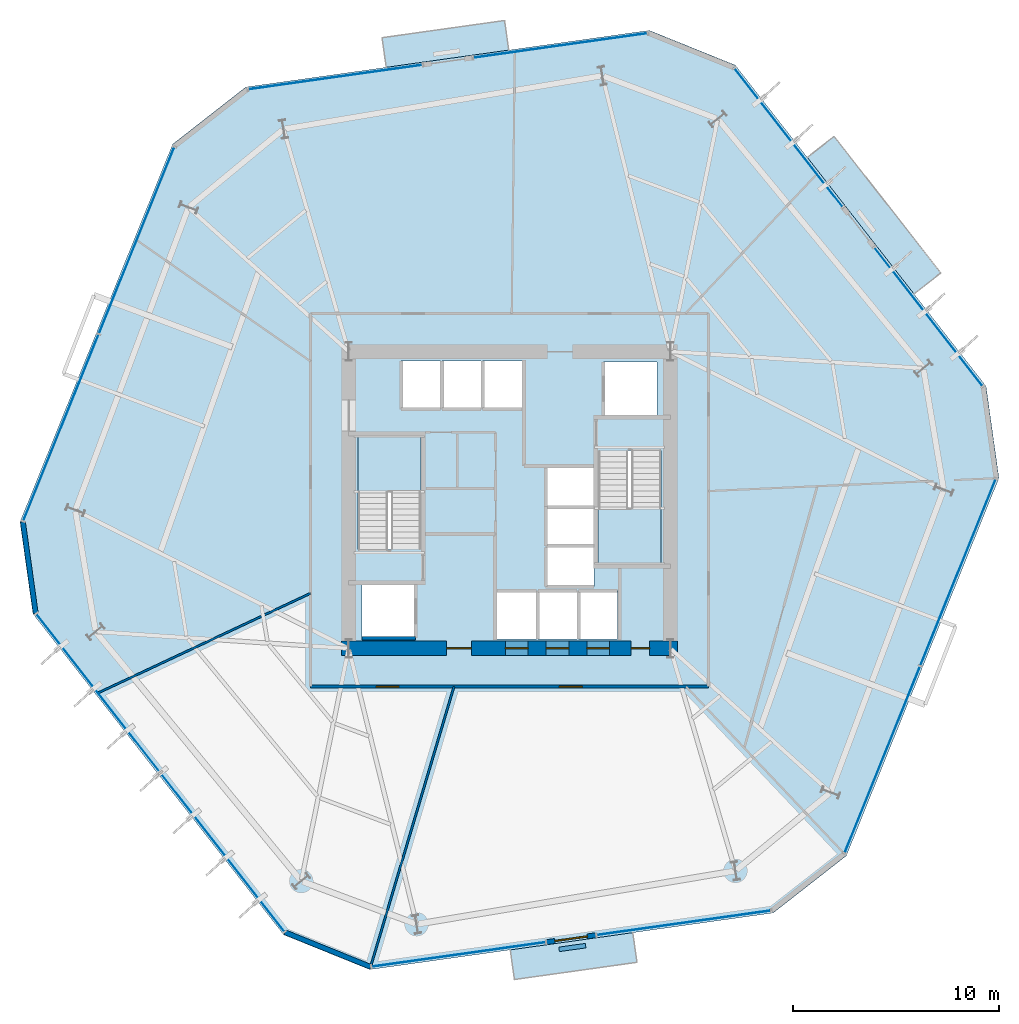
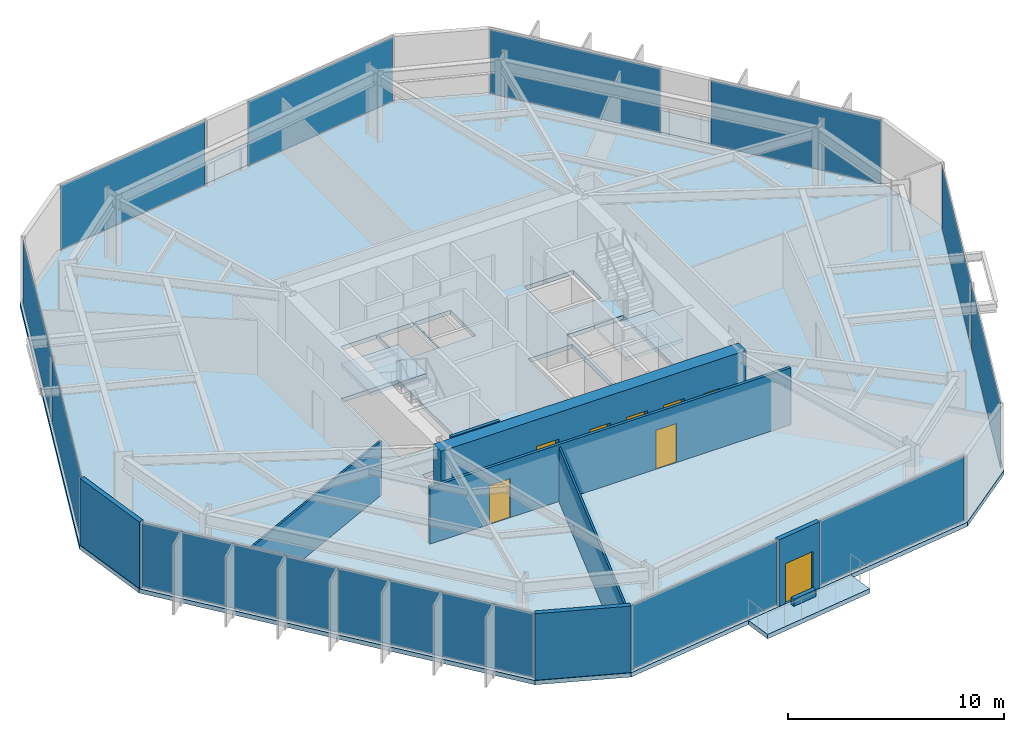
# One storey, part 5 of 10: 12 plates, 9 walls, 8 doors, 6 slabs, 8 openings, 11 elements without a shape of their own.
"""IFC4 building model written with IfcOpenShell, lengths in metres."""

from ifc_helpers import new_model, si_unit, direction, frame, frame_2d, origin, origin_2d, place, context, subcontext, project, spatial, polyline, rectangle, outline, extrude, material, layer, layer_set, type_object, element, fill, aggregate, save


model = new_model("IFC4")

# Units and contexts
model_context = context("Model", 3, precision=1e-05, world=origin(), true_north=direction((0.0, 1.0)))
body_context = subcontext(model_context, "Body", "Model", "MODEL_VIEW")
ifc_project = project(units=[si_unit("LENGTHUNIT", "METRE"), si_unit("AREAUNIT", "SQUARE_METRE"), si_unit("VOLUMEUNIT", "CUBIC_METRE"), si_unit("PLANEANGLEUNIT", "RADIAN"), si_unit("MASSUNIT", "GRAM", prefix="KILO")], contexts=[model_context])

# Site, building, storey
site_placement = place(None, origin())
site = spatial("IfcSite", under=ifc_project, at=site_placement, CompositionType="ELEMENT")
building_placement = place(site_placement, origin())
building = spatial("IfcBuilding", under=site, at=building_placement, Name="Kranzbogen Civic Tower", CompositionType="ELEMENT")
storey_placement = place(building_placement, frame((0.0, 0.0, 52.0)))
storey = spatial("IfcBuildingStorey", under=building, at=storey_placement, Name="L12", CompositionType="ELEMENT", Elevation=52.0)

# Slab
ifc_material_1 = material(Name="Concrete C40/50", Category="concrete")
ifc_layer_1 = layer(ifc_material_1, 0.239990234375, Name="Concrete C40/50")
ifc_layer_set_1 = layer_set([ifc_layer_1], Name="Concrete C40/50")
slab_type_1 = type_object("IfcSlabType", Name="Composite Lower Tower Floor Slab 240 mm", PredefinedType="FLOOR", material=ifc_layer_set_1)
slab_1_placement = place(storey_placement, frame((0.0, 0.0, -0.239990234375)))
element("IfcSlab", 1, at=slab_1_placement, inside=storey, type_object=slab_type_1, Name="L12 tower floor slab", PredefinedType="FLOOR", context=body_context, shape_type="SweptSolid", body=[
    extrude(outline(polyline([(48.114013671875, 30.52099609375), (35.947998046875, 46.091064453125), (31.77587890625, 47.777099609375), (12.2080078125, 45.027099609375), (8.662109375, 42.257080078125), (1.260009765625, 23.93603515625), (1.885986328125, 19.47900390625), (14.052001953125, 3.908935546875), (18.22412109375, 2.222900390625), (37.7919921875, 4.972900390625), (41.337890625, 7.742919921875), (48.739990234375, 26.06396484375), (48.114013671875, 30.52099609375)]), holes=[polyline([(26.300048828125, 20.60009765625), (26.300048828125, 18.25), (24.39990234375, 18.25), (24.39990234375, 20.60009765625), (26.300048828125, 20.60009765625)]), polyline([(28.27490234375, 18.25), (26.375, 18.25), (26.375, 20.60009765625), (28.27490234375, 20.60009765625), (28.27490234375, 18.25)]), polyline([(20.449951171875, 18.300048828125), (17.85009765625, 18.300048828125), (17.85009765625, 20.89990234375), (20.449951171875, 20.89990234375), (20.449951171875, 18.300048828125)]), polyline([(20.699951171875, 22.659912109375), (19.25, 22.659912109375), (19.25, 22.60009765625), (17.64990234375, 22.60009765625), (17.64990234375, 28.10009765625), (20.699951171875, 28.10009765625), (20.699951171875, 22.659912109375)]), polyline([(21.64990234375, 29.39990234375), (19.75, 29.39990234375), (19.75, 31.75), (21.64990234375, 31.75), (21.64990234375, 29.39990234375)]), polyline([(23.625, 29.39990234375), (21.72509765625, 29.39990234375), (21.72509765625, 31.75), (23.625, 31.75), (23.625, 29.39990234375)]), polyline([(25.60009765625, 31.75), (25.60009765625, 29.39990234375), (23.699951171875, 29.39990234375), (23.699951171875, 31.75), (25.60009765625, 31.75)]), polyline([(30.25, 18.25), (28.35009765625, 18.25), (28.35009765625, 20.60009765625), (30.25, 20.60009765625), (30.25, 18.25)]), polyline([(29.10009765625, 20.800048828125), (26.75, 20.800048828125), (26.75, 22.699951171875), (29.10009765625, 22.699951171875), (29.10009765625, 20.800048828125)]), polyline([(26.75, 26.550048828125), (29.10009765625, 26.550048828125), (29.10009765625, 24.675048828125), (29.10009765625, 24.64990234375), (29.10009765625, 22.77490234375), (26.75, 22.77490234375), (26.75, 24.64990234375), (26.75, 24.675048828125), (26.75, 26.550048828125)]), polyline([(30.75, 27.340087890625), (30.75, 27.39990234375), (32.35009765625, 27.39990234375), (32.35009765625, 21.89990234375), (29.300048828125, 21.89990234375), (29.300048828125, 27.340087890625), (30.75, 27.340087890625)]), polyline([(32.14990234375, 29.10009765625), (29.550048828125, 29.10009765625), (29.550048828125, 31.699951171875), (32.14990234375, 31.699951171875), (32.14990234375, 29.10009765625)])]), origin(), (0.0, 0.0, 1.0), 0.239990234375),
])

# Curtain wall, plate
ifc_material_2 = material(Name="Pale Anodised Aluminium", Category="aluminium")
ifc_layer_2 = layer(ifc_material_2, 0.219970703125, Name="Pale Anodised Aluminium")
ifc_layer_set_2 = layer_set([ifc_layer_2], Name="Pale Anodised Aluminium")
curtain_wall_type = type_object("IfcCurtainWallType", Name="Zone 1 Stick Curtain Wall System CW-02", PredefinedType="USERDEFINED", material=ifc_layer_set_2)
curtain_wall_1_placement = place(storey_placement, origin())
curtain_wall_1 = element("IfcCurtainWall", 2, at=curtain_wall_1_placement, inside=storey, type_object=curtain_wall_type, Name="L12 curtain wall CW-L12-F1-S1", ObjectType="STICK CURTAIN WALL", PredefinedType="USERDEFINED")
ifc_material_3 = material(Name="Low-E Triple Glazing Glass", Category="glass")
ifc_layer_3 = layer(ifc_material_3, 0.033935546875, Name="Low-E Triple Glazing Glass")
ifc_layer_set_3 = layer_set([ifc_layer_3], Name="Low-E Triple Glazing Glass")
plate_type = type_object("IfcPlateType", Name="Insulated Low-E Glazing Panel 34 mm", PredefinedType="CURTAIN_PANEL", material=ifc_layer_set_3)
plate_1_placement = place(storey_placement, frame((45.323974609375, 33.885009765625, 0.06005859375), z_axis=(0.0, 0.0, 1.0), x_axis=(-0.615657546706, 0.788013822965, 0.0)))
plate_1 = element("IfcPlate", 3, at=plate_1_placement, type_object=plate_type, Name="CW-02 panel 1.1", PredefinedType="CURTAIN_PANEL", context=body_context, shape_type="SweptSolid", body=[
    extrude(rectangle(XDim=8.501708984375, YDim=0.028076171875, at=origin_2d()), origin(), (0.0, 0.0, 1.0), 3.639892578125),
])
aggregate(curtain_wall_1, [plate_1])

curtain_wall_2_placement = place(storey_placement, origin())
curtain_wall_2 = element("IfcCurtainWall", 4, at=curtain_wall_2_placement, inside=storey, type_object=curtain_wall_type, Name="L12 curtain wall CW-L12-F1-S2", ObjectType="STICK CURTAIN WALL", PredefinedType="USERDEFINED")
plate_2_placement = place(storey_placement, frame((38.5380859375, 42.570068359375, 0.06005859375), z_axis=(0.0, 0.0, 1.0), x_axis=(-0.615657546706, 0.788013822965, 0.0)))
plate_2 = element("IfcPlate", 5, at=plate_2_placement, type_object=plate_type, Name="CW-02 panel 1.1", PredefinedType="CURTAIN_PANEL", context=body_context, shape_type="SweptSolid", body=[
    extrude(rectangle(XDim=8.501708984375, YDim=0.028076171875, at=origin_2d()), origin(), (0.0, 0.0, 1.0), 3.639892578125),
])
aggregate(curtain_wall_2, [plate_2])

curtain_wall_3_placement = place(storey_placement, origin())
curtain_wall_3 = element("IfcCurtainWall", 6, at=curtain_wall_3_placement, inside=storey, type_object=curtain_wall_type, Name="L12 curtain wall CW-L12-F2-S1", ObjectType="STICK CURTAIN WALL", PredefinedType="USERDEFINED")
plate_3_placement = place(storey_placement, frame((27.467041015625, 47.04296875, 0.06005859375), z_axis=(0.0, 0.0, 1.0), x_axis=(-0.990267072018, -0.139180192835, 0.0)))
plate_3 = element("IfcPlate", 7, at=plate_3_placement, type_object=plate_type, Name="CW-02 panel 1.1", PredefinedType="CURTAIN_PANEL", context=body_context, shape_type="SweptSolid", body=[
    extrude(rectangle(XDim=8.501953125, YDim=0.028076171875, at=origin_2d()), origin(), (0.0, 0.0, 1.0), 3.639892578125),
])
aggregate(curtain_wall_3, [plate_3])

curtain_wall_4_placement = place(storey_placement, origin())
curtain_wall_4 = element("IfcCurtainWall", 8, at=curtain_wall_4_placement, inside=storey, type_object=curtain_wall_type, Name="L12 curtain wall CW-L12-F2-S2", ObjectType="STICK CURTAIN WALL", PredefinedType="USERDEFINED")
plate_4_placement = place(storey_placement, frame((16.552490234375, 45.509033203125, 0.06005859375), z_axis=(0.0, 0.0, 1.0), x_axis=(-0.990269318362, -0.139164209161, 0.0)))
plate_4 = element("IfcPlate", 9, at=plate_4_placement, type_object=plate_type, Name="CW-02 panel 1.1", PredefinedType="CURTAIN_PANEL", context=body_context, shape_type="SweptSolid", body=[
    extrude(rectangle(XDim=8.5029296875, YDim=0.028076171875, at=origin_2d()), origin(), (0.0, 0.0, 1.0), 3.639892578125),
])
aggregate(curtain_wall_4, [plate_4])

# Curtain wall, plates
curtain_wall_5_placement = place(storey_placement, origin())
curtain_wall_5 = element("IfcCurtainWall", 10, at=curtain_wall_5_placement, inside=storey, type_object=curtain_wall_type, Name="L12 curtain wall CW-L12-F3", ObjectType="STICK CURTAIN WALL", PredefinedType="USERDEFINED")
plate_5_placement = place(storey_placement, frame((6.912841796875, 37.587890625, 0.06005859375), z_axis=(0.0, 0.0, 1.0), x_axis=(-0.374583413468, -0.927193219537, 0.0)))
plate_5 = element("IfcPlate", 11, at=plate_5_placement, type_object=plate_type, Name="CW-02 panel 1.1", PredefinedType="CURTAIN_PANEL", context=body_context, shape_type="SweptSolid", body=[
    extrude(rectangle(XDim=9.731689453125, YDim=0.028076171875, at=origin_2d()), origin(), (0.0, 0.0, 1.0), 3.639892578125),
])
plate_6_placement = place(storey_placement, frame((3.2451171875, 28.50927734375, 0.06005859375), z_axis=(0.0, 0.0, 1.0), x_axis=(-0.374583413468, -0.927193219537, 0.0)))
plate_6 = element("IfcPlate", 12, at=plate_6_placement, type_object=plate_type, Name="CW-02 panel 2.1", PredefinedType="CURTAIN_PANEL", context=body_context, shape_type="SweptSolid", body=[
    extrude(rectangle(XDim=9.731689453125, YDim=0.028076171875, at=origin_2d()), origin(), (0.0, 0.0, 1.0), 3.639892578125),
])
aggregate(curtain_wall_5, [plate_5, plate_6])

curtain_wall_6_placement = place(storey_placement, origin())
curtain_wall_6 = element("IfcCurtainWall", 13, at=curtain_wall_6_placement, inside=storey, type_object=curtain_wall_type, Name="L12 curtain wall CW-L12-F4", ObjectType="STICK CURTAIN WALL", PredefinedType="USERDEFINED")
plate_7_placement = place(storey_placement, frame((5.0546875, 15.63037109375, 0.06005859375), z_axis=(0.0, 0.0, 1.0), x_axis=(0.61567664207, -0.787998903812, 0.0)))
plate_7 = element("IfcPlate", 14, at=plate_7_placement, type_object=plate_type, Name="CW-02 panel 1.1", PredefinedType="CURTAIN_PANEL", context=body_context, shape_type="SweptSolid", body=[
    extrude(rectangle(XDim=9.731689453125, YDim=0.028076171875, at=origin_2d()), origin(), (0.0, 0.0, 1.0), 3.639892578125),
])
plate_8_placement = place(storey_placement, frame((11.083251953125, 7.91455078125, 0.06005859375), z_axis=(0.0, 0.0, 1.0), x_axis=(0.61567664207, -0.787998903812, 0.0)))
plate_8 = element("IfcPlate", 15, at=plate_8_placement, type_object=plate_type, Name="CW-02 panel 2.1", PredefinedType="CURTAIN_PANEL", context=body_context, shape_type="SweptSolid", body=[
    extrude(rectangle(XDim=9.731689453125, YDim=0.028076171875, at=origin_2d()), origin(), (0.0, 0.0, 1.0), 3.639892578125),
])
aggregate(curtain_wall_6, [plate_7, plate_8])

# Curtain wall, plate
curtain_wall_7_placement = place(storey_placement, origin())
curtain_wall_7 = element("IfcCurtainWall", 16, at=curtain_wall_7_placement, inside=storey, type_object=curtain_wall_type, Name="L12 curtain wall CW-L12-F5-S1", ObjectType="STICK CURTAIN WALL", PredefinedType="USERDEFINED")
plate_9_placement = place(storey_placement, frame((22.532958984375, 2.95703125, 0.06005859375), z_axis=(0.0, 0.0, 1.0), x_axis=(0.990267072018, 0.139180192835, 0.0)))
plate_9 = element("IfcPlate", 17, at=plate_9_placement, type_object=plate_type, Name="CW-02 panel 1.1", PredefinedType="CURTAIN_PANEL", context=body_context, shape_type="SweptSolid", body=[
    extrude(rectangle(XDim=8.501953125, YDim=0.028076171875, at=origin_2d()), origin(), (0.0, 0.0, 1.0), 3.639892578125),
])
aggregate(curtain_wall_7, [plate_9])

curtain_wall_8_placement = place(storey_placement, origin())
curtain_wall_8 = element("IfcCurtainWall", 18, at=curtain_wall_8_placement, inside=storey, type_object=curtain_wall_type, Name="L12 curtain wall CW-L12-F5-S2", ObjectType="STICK CURTAIN WALL", PredefinedType="USERDEFINED")
plate_10_placement = place(storey_placement, frame((33.447998046875, 4.490966796875, 0.06005859375), z_axis=(0.0, 0.0, 1.0), x_axis=(0.990267072018, 0.139180192835, 0.0)))
plate_10 = element("IfcPlate", 19, at=plate_10_placement, type_object=plate_type, Name="CW-02 panel 1.1", PredefinedType="CURTAIN_PANEL", context=body_context, shape_type="SweptSolid", body=[
    extrude(rectangle(XDim=8.501953125, YDim=0.028076171875, at=origin_2d()), origin(), (0.0, 0.0, 1.0), 3.639892578125),
])
aggregate(curtain_wall_8, [plate_10])

# Curtain wall, plates
curtain_wall_9_placement = place(storey_placement, origin())
curtain_wall_9 = element("IfcCurtainWall", 20, at=curtain_wall_9_placement, inside=storey, type_object=curtain_wall_type, Name="L12 curtain wall CW-L12-F6", ObjectType="STICK CURTAIN WALL", PredefinedType="USERDEFINED")
plate_11_placement = place(storey_placement, frame((43.087158203125, 12.412109375, 0.06005859375), z_axis=(0.0, 0.0, 1.0), x_axis=(0.374583413468, 0.927193219537, 0.0)))
plate_11 = element("IfcPlate", 21, at=plate_11_placement, type_object=plate_type, Name="CW-02 panel 1.1", PredefinedType="CURTAIN_PANEL", context=body_context, shape_type="SweptSolid", body=[
    extrude(rectangle(XDim=9.731689453125, YDim=0.028076171875, at=origin_2d()), origin(), (0.0, 0.0, 1.0), 3.639892578125),
])
plate_12_placement = place(storey_placement, frame((46.7548828125, 21.49072265625, 0.06005859375), z_axis=(0.0, 0.0, 1.0), x_axis=(0.374583413468, 0.927193219537, 0.0)))
plate_12 = element("IfcPlate", 22, at=plate_12_placement, type_object=plate_type, Name="CW-02 panel 2.1", PredefinedType="CURTAIN_PANEL", context=body_context, shape_type="SweptSolid", body=[
    extrude(rectangle(XDim=9.731689453125, YDim=0.028076171875, at=origin_2d()), origin(), (0.0, 0.0, 1.0), 3.639892578125),
])
aggregate(curtain_wall_9, [plate_11, plate_12])

# Stair, slab
ifc_material_4 = material(Name="Precast concrete C40/50", Category="concrete")
stair_type_1 = type_object("IfcStairType", Name="Tower Core Pressurized Dogleg Stair 1450", PredefinedType="HALF_TURN_STAIR", material=ifc_material_4)
stair_1_placement = place(storey_placement, origin())
stair_1 = element("IfcStair", 23, at=stair_1_placement, inside=storey, type_object=stair_type_1, Name="L12 Tower Core Pressurized Stair 1", PredefinedType="HALF_TURN_STAIR")
ifc_layer_4 = layer(ifc_material_4, 0.199951171875, Name="Precast concrete C40/50")
ifc_layer_set_4 = layer_set([ifc_layer_4], Name="Precast concrete C40/50")
slab_type_2 = type_object("IfcSlabType", Name="Precast Concrete Stair Landing Slab 200 mm", PredefinedType="LANDING", material=ifc_layer_set_4)
slab_2_placement = place(storey_placement, frame((0.0, 0.0, 1.800048828125)))
slab_2 = element("IfcSlab", 24, at=slab_2_placement, type_object=slab_type_2, Name="ST-T1 landing 1", PredefinedType="LANDING", context=body_context, shape_type="SweptSolid", body=[
    extrude(outline(polyline([(20.699951171875, 25.39990234375), (20.699951171875, 28.10009765625), (17.64990234375, 28.10009765625), (17.64990234375, 25.39990234375), (20.699951171875, 25.39990234375)])), origin(), (0.0, 0.0, 1.0), 0.199951171875),
])
aggregate(stair_1, [slab_2])

stair_type_2 = type_object("IfcStairType", Name="Tower Core Secondary Dogleg Stair 1450", PredefinedType="HALF_TURN_STAIR", material=ifc_material_4)
stair_2_placement = place(storey_placement, origin())
stair_2 = element("IfcStair", 25, at=stair_2_placement, inside=storey, type_object=stair_type_2, Name="L12 Tower Core Pressurized Stair 2", PredefinedType="HALF_TURN_STAIR")
slab_3_placement = place(storey_placement, frame((0.0, 0.0, 1.800048828125)))
slab_3 = element("IfcSlab", 26, at=slab_3_placement, type_object=slab_type_2, Name="ST-T2 landing 1", PredefinedType="LANDING", context=body_context, shape_type="SweptSolid", body=[
    extrude(outline(polyline([(29.300048828125, 24.60009765625), (29.300048828125, 21.89990234375), (32.35009765625, 21.89990234375), (32.35009765625, 24.60009765625), (29.300048828125, 24.60009765625)])), origin(), (0.0, 0.0, 1.0), 0.199951171875),
])
aggregate(stair_2, [slab_3])

# Slabs
ifc_layer_5 = layer(ifc_material_1, 0.280029296875, Name="Concrete C40/50")
ifc_layer_set_5 = layer_set([ifc_layer_5], Name="Concrete C40/50")
slab_type_3 = type_object("IfcSlabType", Name="Spiral Terrace Cantilevered Slab 280 mm", PredefinedType="FLOOR", material=ifc_layer_set_5)
slab_4_placement = place(storey_placement, frame((0.0, 0.0, -0.280029296875)))
element("IfcSlab", 27, at=slab_4_placement, inside=storey, type_object=slab_type_3, Name="L12 cantilevered spiral terrace L12-ST", PredefinedType="FLOOR", context=body_context, shape_type="SweptSolid", body=[
    extrude(outline(polyline([(44.616943359375, 34.99609375), (39.445068359375, 41.615966796875), (40.7451171875, 42.632080078125), (45.9169921875, 36.011962890625), (44.616943359375, 34.99609375)])), origin(), (0.0, 0.0, 1.0), 0.280029296875),
])
ifc_layer_6 = layer(ifc_material_1, 0.25, Name="Concrete C40/50")
ifc_layer_set_6 = layer_set([ifc_layer_6], Name="Concrete C40/50")
slab_type_4 = type_object("IfcSlabType", Name="Tree Balcony Cantilevered Slab 250 mm", PredefinedType="FLOOR", material=ifc_layer_set_6)
slab_5_placement = place(storey_placement, frame((0.0, 0.0, -0.25)))
element("IfcSlab", 28, at=slab_5_placement, inside=storey, type_object=slab_type_4, Name="L12 cantilevered tree balcony L12-TB1", PredefinedType="FLOOR", context=body_context, shape_type="SweptSolid", body=[
    extrude(outline(polyline([(24.962890625, 46.820068359375), (19.02099609375, 45.985107421875), (18.819091796875, 47.4208984375), (24.760986328125, 48.256103515625), (24.962890625, 46.820068359375)])), origin(), (0.0, 0.0, 1.0), 0.25),
])
slab_6_placement = place(storey_placement, frame((0.0, 0.0, -0.25)))
element("IfcSlab", 29, at=slab_6_placement, inside=storey, type_object=slab_type_4, Name="L12 cantilevered tree balcony L12-TB2", PredefinedType="FLOOR", context=body_context, shape_type="SweptSolid", body=[
    extrude(outline(polyline([(25.037109375, 3.179931640625), (30.97900390625, 4.014892578125), (31.180908203125, 2.5791015625), (25.239013671875, 1.743896484375), (25.037109375, 3.179931640625)])), origin(), (0.0, 0.0, 1.0), 0.25),
])

# Wall, openings, doors
ifc_material_5 = material(Name="Double-Stud Acoustic Gypsum Partition")
ifc_layer_7 = layer(ifc_material_5, 0.14990234375, Name="Double-Stud Acoustic Gypsum Partition")
ifc_layer_set_7 = layer_set([ifc_layer_7], Name="Double-Stud Acoustic Gypsum Partition")
wall_type_1 = type_object("IfcWallType", Name="Acoustic Corridor and Clinical Partition 150 mm", PredefinedType="PARTITIONING", material=ifc_layer_set_7)
wall_1_placement = place(storey_placement, frame((34.64990234375, 15.949951171875, 0.0), z_axis=(0.0, 0.0, 1.0), x_axis=(-1.0, 0.0, 0.0)))
wall_1 = element("IfcWall", 30, at=wall_1_placement, inside=storey, type_object=wall_type_1, Name="L12 corridor partition 03", PredefinedType="PARTITIONING", context=body_context, shape_type="SweptSolid", body=[
    extrude(rectangle(XDim=19.2998046875, YDim=0.14990234375, at=frame_2d((9.64990234375, 0.0))), origin(), (0.0, 0.0, 1.0), 3.2099609375),
])
opening_1_placement = place(wall_1_placement, frame((15.010009765625, 0.0, 0.0)))
opening_1 = element("IfcOpeningElement", 31, at=opening_1_placement, cuts=wall_1, Name="Opening D-COR60", PredefinedType="OPENING", context=body_context, shape_type="SweptSolid", body=[
    extrude(rectangle(XDim=1.10009765625, YDim=2.199951171875, at=frame_2d((0.550048828125, 1.10009765625))), frame((0.0, 0.0849609375, 0.0), z_axis=(0.0, -1.0, 0.0), x_axis=(1.0, 0.0, 0.0)), (0.0, 0.0, 1.0), 0.169921875),
])
opening_2_placement = place(wall_1_placement, frame((6.1259765625, 0.0, 0.0)))
opening_2 = element("IfcOpeningElement", 32, at=opening_2_placement, cuts=wall_1, Name="Opening D-COR60", PredefinedType="OPENING", context=body_context, shape_type="SweptSolid", body=[
    extrude(rectangle(XDim=1.10009765625, YDim=2.199951171875, at=frame_2d((0.550048828125, 1.10009765625))), frame((0.0, 0.0849609375, 0.0), z_axis=(0.0, -1.0, 0.0), x_axis=(1.0, 0.0, 0.0)), (0.0, 0.0, 1.0), 0.169921875),
])
ifc_material_6 = material(Name="Oak Timber and Fire Core", Category="wood")
door_type_1 = type_object("IfcDoorType", Name="Corridor Acoustic Fire Door 1100x2200", OperationType="NOTDEFINED", PredefinedType="DOOR", material=ifc_material_6)
door_1_placement = place(opening_1_placement, origin())
door_1 = element("IfcDoor", 33, at=door_1_placement, inside=storey, type_object=door_type_1, Name="L12 Ministerial Policy Office door", OperationType="SINGLE_SWING_RIGHT", OverallHeight=2.199951171875, OverallWidth=1.10009765625, PredefinedType="DOOR", context=body_context, shape_type="SweptSolid", body=[
    extrude(rectangle(XDim=1.10009765625, YDim=2.199951171875, at=frame_2d((0.550048828125, 1.10009765625))), frame((0.0, 0.02490234375, 0.0), z_axis=(0.0, -1.0, 0.0), x_axis=(1.0, 0.0, 0.0)), (0.0, 0.0, 1.0), 0.050048828125),
])
fill(opening_1, door_1)
door_2_placement = place(opening_2_placement, origin())
door_2 = element("IfcDoor", 34, at=door_2_placement, inside=storey, type_object=door_type_1, Name="L12 Directorate Admin Workspace door", OperationType="SINGLE_SWING_LEFT", OverallHeight=2.199951171875, OverallWidth=1.10009765625, PredefinedType="DOOR", context=body_context, shape_type="SweptSolid", body=[
    extrude(rectangle(XDim=1.10009765625, YDim=2.199951171875, at=frame_2d((0.550048828125, 1.10009765625))), frame((0.0, 0.02490234375, 0.0), z_axis=(0.0, -1.0, 0.0), x_axis=(1.0, 0.0, 0.0)), (0.0, 0.0, 1.0), 0.050048828125),
])
fill(opening_2, door_2)

# Wall
ifc_material_7 = material(Name="Architectural Precast Terracotta Concrete C40/50", Category="masonry")
ifc_layer_8 = layer(ifc_material_7, 0.219970703125, Name="Architectural Precast Terracotta Concrete C40/50")
ifc_layer_set_8 = layer_set([ifc_layer_8], Name="Architectural Precast Terracotta Concrete C40/50")
wall_type_2 = type_object("IfcWallType", Name="Architectural Tree Planter Kerb Wall 220 mm", PredefinedType="USERDEFINED", material=ifc_layer_set_8)
wall_2_placement = place(storey_placement, frame((27.406005859375, 3.2060546875, 0.0), z_axis=(0.0, 0.0, 1.0), x_axis=(0.990383971487, 0.138345903523, 0.0)))
element("IfcWall", 35, at=wall_2_placement, inside=storey, type_object=wall_type_2, Name="L12 landscaped tree balcony planter L12-TB2", ObjectType="PLANTER_WALL", PredefinedType="USERDEFINED", context=body_context, shape_type="SweptSolid", body=[
    extrude(rectangle(XDim=1.300537109375, YDim=0.219970703125, at=frame_2d((0.650390625, 0.0))), origin(), (0.0, 0.0, 1.0), 0.39990234375),
])

# Wall, openings, doors
ifc_material_8 = material(Name="Concrete C55/67", Category="concrete")
ifc_layer_9 = layer(ifc_material_8, 0.699951171875, Name="Concrete C55/67")
ifc_layer_set_9 = layer_set([ifc_layer_9], Name="Concrete C55/67")
wall_type_3 = type_object("IfcWallType", Name="Central Core Shear Wall 700 mm", PredefinedType="SHEAR", material=ifc_layer_set_9)
wall_3_placement = place(storey_placement, frame((16.85009765625, 17.800048828125, 0.0), z_axis=(0.0, 0.0, 1.0), x_axis=(1.0, 0.0, 0.0)))
wall_3 = element("IfcWall", 36, at=wall_3_placement, inside=storey, type_object=wall_type_3, Name="L12 central core South shear wall", PredefinedType="SHEAR", context=body_context, shape_type="SweptSolid", body=[
    extrude(rectangle(XDim=16.2998046875, YDim=0.699951171875, at=frame_2d((8.14990234375, 0.0))), origin(), (0.0, 0.0, 1.0), 3.760009765625),
])
opening_3_placement = place(wall_3_placement, frame((5.10009765625, 0.0, 0.0)))
opening_3 = element("IfcOpeningElement", 37, at=opening_3_placement, cuts=wall_3, Name="Opening D-EX120", PredefinedType="OPENING", context=body_context, shape_type="SweptSolid", body=[
    extrude(rectangle(XDim=1.199951171875, YDim=2.25, at=frame_2d((0.60009765625, 1.125))), frame((0.0, 0.35986328125, 0.0), z_axis=(0.0, -1.0, 0.0), x_axis=(1.0, 0.0, 0.0)), (0.0, 0.0, 1.0), 0.719970703125),
])
opening_4_placement = place(wall_3_placement, frame((14.050048828125, 0.0, 0.0)))
opening_4 = element("IfcOpeningElement", 38, at=opening_4_placement, cuts=wall_3, Name="Opening D-WC90", PredefinedType="OPENING", context=body_context, shape_type="SweptSolid", body=[
    extrude(rectangle(XDim=0.89990234375, YDim=2.10009765625, at=frame_2d((0.449951171875, 1.050048828125))), frame((0.0, 0.35986328125, 0.0), z_axis=(0.0, -1.0, 0.0), x_axis=(1.0, 0.0, 0.0)), (0.0, 0.0, 1.0), 0.719970703125),
])
opening_5_placement = place(wall_3_placement, frame((7.949951171875, 0.0, 0.0)))
opening_5 = element("IfcOpeningElement", 39, at=opening_5_placement, cuts=wall_3, Name="Opening LD-LP-01", PredefinedType="OPENING", context=body_context, shape_type="SweptSolid", body=[
    extrude(rectangle(XDim=1.10009765625, YDim=2.199951171875, at=frame_2d((0.550048828125, 1.10009765625))), frame((0.0, 0.35986328125, 0.0), z_axis=(0.0, -1.0, 0.0), x_axis=(1.0, 0.0, 0.0)), (0.0, 0.0, 1.0), 0.719970703125),
])
opening_6_placement = place(wall_3_placement, frame((9.925048828125, 0.0, 0.0)))
opening_6 = element("IfcOpeningElement", 40, at=opening_6_placement, cuts=wall_3, Name="Opening LD-LP-02", PredefinedType="OPENING", context=body_context, shape_type="SweptSolid", body=[
    extrude(rectangle(XDim=1.10009765625, YDim=2.199951171875, at=frame_2d((0.550048828125, 1.10009765625))), frame((0.0, 0.35986328125, 0.0), z_axis=(0.0, -1.0, 0.0), x_axis=(1.0, 0.0, 0.0)), (0.0, 0.0, 1.0), 0.719970703125),
])
opening_7_placement = place(wall_3_placement, frame((11.89990234375, 0.0, 0.0)))
opening_7 = element("IfcOpeningElement", 41, at=opening_7_placement, cuts=wall_3, Name="Opening LD-LP-03", PredefinedType="OPENING", context=body_context, shape_type="SweptSolid", body=[
    extrude(rectangle(XDim=1.10009765625, YDim=2.199951171875, at=frame_2d((0.550048828125, 1.10009765625))), frame((0.0, 0.35986328125, 0.0), z_axis=(0.0, -1.0, 0.0), x_axis=(1.0, 0.0, 0.0)), (0.0, 0.0, 1.0), 0.719970703125),
])
ifc_material_9 = material(Name="Steel S355", Category="steel")
door_type_2 = type_object("IfcDoorType", Name="Exit Passageway Fire Door 1200x2250", OperationType="NOTDEFINED", PredefinedType="DOOR", material=ifc_material_9)
door_3_placement = place(opening_3_placement, origin())
door_3 = element("IfcDoor", 42, at=door_3_placement, inside=storey, type_object=door_type_2, Name="L12 West firefighting lobby corridor door", OperationType="SINGLE_SWING_RIGHT", OverallHeight=2.25, OverallWidth=1.199951171875, PredefinedType="DOOR", context=body_context, shape_type="SweptSolid", body=[
    extrude(rectangle(XDim=1.199951171875, YDim=2.25, at=frame_2d((0.60009765625, 1.125))), frame((0.0, 0.02490234375, 0.0), z_axis=(0.0, -1.0, 0.0), x_axis=(1.0, 0.0, 0.0)), (0.0, 0.0, 1.0), 0.050048828125),
])
fill(opening_3, door_3)
door_type_3 = type_object("IfcDoorType", Name="Passenger Lift Sliding Landing Door 1100x2200", OperationType="DOUBLE_DOOR_SLIDING", PredefinedType="DOOR", material=ifc_material_2)
door_4_placement = place(opening_5_placement, origin())
door_4 = element("IfcDoor", 43, at=door_4_placement, inside=storey, type_object=door_type_3, Name="L12 lift LP-01 sliding landing door", OperationType="DOUBLE_DOOR_SLIDING", OverallHeight=2.199951171875, OverallWidth=1.10009765625, PredefinedType="DOOR", context=body_context, shape_type="SweptSolid", body=[
    extrude(rectangle(XDim=1.10009765625, YDim=2.199951171875, at=frame_2d((0.550048828125, 1.10009765625))), frame((0.0, 0.02490234375, 0.0), z_axis=(0.0, -1.0, 0.0), x_axis=(1.0, 0.0, 0.0)), (0.0, 0.0, 1.0), 0.050048828125),
])
fill(opening_5, door_4)
door_5_placement = place(opening_6_placement, origin())
door_5 = element("IfcDoor", 44, at=door_5_placement, inside=storey, type_object=door_type_3, Name="L12 lift LP-02 sliding landing door", OperationType="DOUBLE_DOOR_SLIDING", OverallHeight=2.199951171875, OverallWidth=1.10009765625, PredefinedType="DOOR", context=body_context, shape_type="SweptSolid", body=[
    extrude(rectangle(XDim=1.10009765625, YDim=2.199951171875, at=frame_2d((0.550048828125, 1.10009765625))), frame((0.0, 0.02490234375, 0.0), z_axis=(0.0, -1.0, 0.0), x_axis=(1.0, 0.0, 0.0)), (0.0, 0.0, 1.0), 0.050048828125),
])
fill(opening_6, door_5)
door_6_placement = place(opening_7_placement, origin())
door_6 = element("IfcDoor", 45, at=door_6_placement, inside=storey, type_object=door_type_3, Name="L12 lift LP-03 sliding landing door", OperationType="DOUBLE_DOOR_SLIDING", OverallHeight=2.199951171875, OverallWidth=1.10009765625, PredefinedType="DOOR", context=body_context, shape_type="SweptSolid", body=[
    extrude(rectangle(XDim=1.10009765625, YDim=2.199951171875, at=frame_2d((0.550048828125, 1.10009765625))), frame((0.0, 0.02490234375, 0.0), z_axis=(0.0, -1.0, 0.0), x_axis=(1.0, 0.0, 0.0)), (0.0, 0.0, 1.0), 0.050048828125),
])
fill(opening_7, door_6)
ifc_material_10 = material(Name="Moisture-Resistant Laminate")
door_type_4 = type_object("IfcDoorType", Name="Standard Restroom and Store Door 900x2100", OperationType="NOTDEFINED", PredefinedType="DOOR", material=ifc_material_10)
door_7_placement = place(opening_4_placement, origin())
door_7 = element("IfcDoor", 46, at=door_7_placement, inside=storey, type_object=door_type_4, Name="L12 East electrical riser access door", OperationType="SINGLE_SWING_LEFT", OverallHeight=2.10009765625, OverallWidth=0.89990234375, PredefinedType="DOOR", context=body_context, shape_type="SweptSolid", body=[
    extrude(rectangle(XDim=0.89990234375, YDim=2.10009765625, at=frame_2d((0.449951171875, 1.050048828125))), frame((0.0, 0.02490234375, 0.0), z_axis=(0.0, -1.0, 0.0), x_axis=(1.0, 0.0, 0.0)), (0.0, 0.0, 1.0), 0.050048828125),
])
fill(opening_4, door_7)

# Walls
ifc_material_11 = material(Name="Demountable Aluminium and Gypsum Partition", Category="aluminium")
ifc_layer_10 = layer(ifc_material_11, 0.10009765625, Name="Demountable Aluminium and Gypsum Partition")
ifc_layer_set_10 = layer_set([ifc_layer_10], Name="Demountable Aluminium and Gypsum Partition")
wall_type_4 = type_object("IfcWallType", Name="Demountable Office Partition 100 mm", PredefinedType="MOVABLE", material=ifc_layer_set_10)
wall_4_placement = place(storey_placement, frame((15.35009765625, 20.47412109375, 0.0), z_axis=(0.0, 0.0, 1.0), x_axis=(-0.905402160526, -0.42455497608, 0.0)))
element("IfcWall", 47, at=wall_4_placement, inside=storey, type_object=wall_type_4, Name="L12 radial room partition 04", PredefinedType="MOVABLE", context=body_context, shape_type="SweptSolid", body=[
    extrude(rectangle(XDim=11.363037109375, YDim=0.10009765625, at=frame_2d((5.681640625, 0.0))), origin(), (0.0, 0.0, 1.0), 3.06005859375),
])
wall_5_placement = place(storey_placement, frame((22.30810546875, 15.949951171875, 0.0), z_axis=(0.0, 0.0, 1.0), x_axis=(-0.285200995496, -0.958467731417, 0.0)))
element("IfcWall", 48, at=wall_5_placement, inside=storey, type_object=wall_type_4, Name="L12 radial room partition 05", PredefinedType="MOVABLE", context=body_context, shape_type="SweptSolid", body=[
    extrude(rectangle(XDim=14.162109375, YDim=0.10009765625, at=frame_2d((7.0810546875, 0.0))), origin(), (0.0, 0.0, 1.0), 3.06005859375),
])
ifc_material_12 = material(Name="Gypsum Fireboard Shaftliner")
ifc_layer_11 = layer(ifc_material_12, 0.175048828125, Name="Gypsum Fireboard Shaftliner")
ifc_layer_set_11 = layer_set([ifc_layer_11], Name="Gypsum Fireboard Shaftliner")
wall_type_5 = type_object("IfcWallType", Name="Fire-Rated Lift and Service Shaft Wall 175 mm", PredefinedType="PARTITIONING", material=ifc_layer_set_11)
wall_6_placement = place(storey_placement, frame((17.85009765625, 18.300048828125, 0.0), z_axis=(0.0, 0.0, 1.0), x_axis=(1.0, 0.0, 0.0)))
element("IfcWall", 49, at=wall_6_placement, inside=storey, type_object=wall_type_5, Name="L12 lift FF-01 side wall", PredefinedType="PARTITIONING", context=body_context, shape_type="SweptSolid", body=[
    extrude(rectangle(XDim=2.599853515625, YDim=0.175048828125, at=frame_2d((1.2998046875, 0.0))), origin(), (0.0, 0.0, 1.0), 3.760009765625),
])
ifc_layer_12 = layer(ifc_material_2, 0.239990234375, Name="Pale Anodised Aluminium")
ifc_layer_set_12 = layer_set([ifc_layer_12], Name="Pale Anodised Aluminium")
wall_type_6 = type_object("IfcWallType", Name="Insulated Aluminium Facade Portal Wall 240 mm", PredefinedType="STANDARD", material=ifc_layer_set_12)
wall_7_placement = place(storey_placement, frame((1.39990234375, 23.94189453125, 0.0), z_axis=(0.0, 0.0, 1.0), x_axis=(0.139059990467, -0.990283958797, 0.0)))
element("IfcWall", 50, at=wall_7_placement, inside=storey, type_object=wall_type_6, Name="L12 chamfered corner facade spandrel 3", PredefinedType="STANDARD", context=body_context, shape_type="SweptSolid", body=[
    extrude(rectangle(XDim=4.473388671875, YDim=0.239990234375, at=frame_2d((2.23681640625, 0.0))), origin(), (0.0, 0.0, 1.0), 3.760009765625),
])
wall_8_placement = place(storey_placement, frame((14.115966796875, 4.032958984375, 0.0), z_axis=(0.0, 0.0, 1.0), x_axis=(0.927172587255, -0.374634479783, 0.0)))
element("IfcWall", 51, at=wall_8_placement, inside=storey, type_object=wall_type_6, Name="L12 chamfered corner facade spandrel 4", PredefinedType="STANDARD", context=body_context, shape_type="SweptSolid", body=[
    extrude(rectangle(XDim=4.473876953125, YDim=0.239990234375, at=frame_2d((2.23681640625, 0.0))), origin(), (0.0, 0.0, 1.0), 3.760009765625),
])

# Wall, opening, door
wall_9_placement = place(storey_placement, frame((26.802001953125, 3.556884765625, 0.0), z_axis=(0.0, 0.0, 1.0), x_axis=(0.990258331978, 0.139242364059, 0.0)))
wall_9 = element("IfcWall", 52, at=wall_9_placement, inside=storey, type_object=wall_type_6, Name="L12 exterior entrance portal wall 1", PredefinedType="STANDARD", context=body_context, shape_type="SweptSolid", body=[
    extrude(rectangle(XDim=2.400390625, YDim=0.239990234375, at=frame_2d((1.2001953125, 0.0))), origin(), (0.0, 0.0, 1.0), 3.760009765625),
])
opening_8_placement = place(wall_9_placement, frame((0.39990234375, 0.0, 0.0)))
opening_8 = element("IfcOpeningElement", 53, at=opening_8_placement, cuts=wall_9, Name="Opening D-TER", PredefinedType="OPENING", context=body_context, shape_type="SweptSolid", body=[
    extrude(rectangle(XDim=1.60009765625, YDim=2.25, at=frame_2d((0.800048828125, 1.125))), frame((0.0, 0.1298828125, 0.0), z_axis=(0.0, -1.0, 0.0), x_axis=(1.0, 0.0, 0.0)), (0.0, 0.0, 1.0), 0.260009765625),
])
ifc_material_13 = material(Name="Anodised Bronze and Triple Glass", Category="glass")
door_type_5 = type_object("IfcDoorType", Name="Glazed Terrace and Balcony Double Door 1600x2250", OperationType="DOUBLE_DOOR_SINGLE_SWING", PredefinedType="DOOR", material=ifc_material_13)
door_8_placement = place(opening_8_placement, frame((1.60009765625, 0.0, 0.0), z_axis=(0.0, 0.0, 1.0), x_axis=(-1.0, 0.0, 0.0)))
door_8 = element("IfcDoor", 54, at=door_8_placement, inside=storey, type_object=door_type_5, Name="L12 tree balcony access door L12-TB2", OperationType="DOUBLE_DOOR_SINGLE_SWING", OverallHeight=2.25, OverallWidth=1.60009765625, PredefinedType="DOOR", context=body_context, shape_type="SweptSolid", body=[
    extrude(rectangle(XDim=1.60009765625, YDim=2.25, at=frame_2d((0.800048828125, 1.125))), frame((0.0, 0.02490234375, 0.0), z_axis=(0.0, -1.0, 0.0), x_axis=(1.0, 0.0, 0.0)), (0.0, 0.0, 1.0), 0.050048828125),
])
fill(opening_8, door_8)

save(model, "model.ifc")
